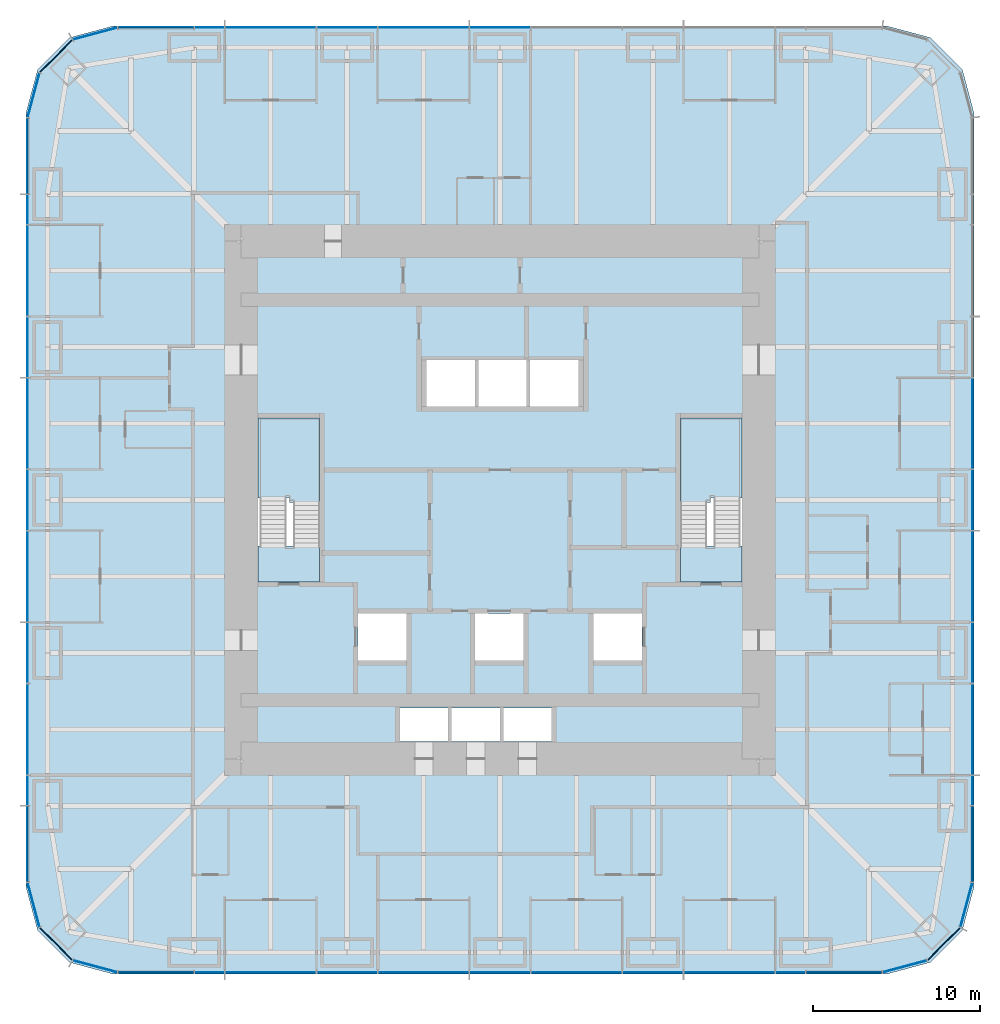
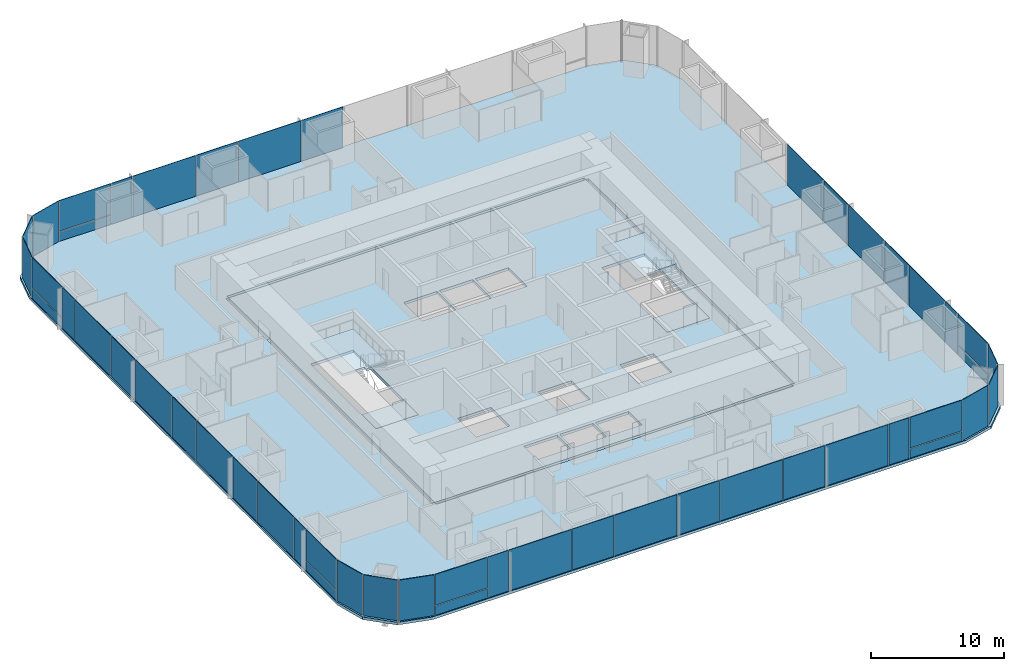
# One storey, part 6 of 11: 50 plates, 6 slabs, 9 elements without a shape of their own.
"""IFC4 building model written with IfcOpenShell, lengths in metres."""

from ifc_helpers import new_model, si_unit, direction, frame, origin, origin_2d, place, context, subcontext, project, spatial, polyline, rectangle, outline, extrude, material, layer, layer_set, type_object, element, aggregate, save


model = new_model("IFC4")

# Units and contexts
model_context = context("Model", 3, precision=1e-05, world=origin(), true_north=direction((0.0, 1.0)))
body_context = subcontext(model_context, "Body", "Model", "MODEL_VIEW")
ifc_project = project(units=[si_unit("LENGTHUNIT", "METRE"), si_unit("AREAUNIT", "SQUARE_METRE"), si_unit("VOLUMEUNIT", "CUBIC_METRE"), si_unit("PLANEANGLEUNIT", "RADIAN"), si_unit("MASSUNIT", "GRAM", prefix="KILO")], contexts=[model_context])

# Site, building, storey
site_placement = place(None, origin())
site = spatial("IfcSite", under=ifc_project, at=site_placement, CompositionType="ELEMENT")
building_placement = place(site_placement, origin())
building = spatial("IfcBuilding", under=site, at=building_placement, Name="Khuree Lantern Residences", CompositionType="ELEMENT")
storey_placement = place(building_placement, frame((0.0, 0.0, 171.0)))
storey = spatial("IfcBuildingStorey", under=building, at=storey_placement, Name="L43", CompositionType="ELEMENT", Elevation=171.0)

# Slab
ifc_material_1 = material(Name="Concrete C35/45", Category="concrete")
ifc_layer_1 = layer(ifc_material_1, 0.25)
ifc_layer_set_1 = layer_set([ifc_layer_1], Name="CFL250 CORE FLOOR SLAB 250")
slab_type_1 = type_object("IfcSlabType", Name="CFL250 CORE FLOOR SLAB 250", PredefinedType="FLOOR", material=ifc_layer_set_1)
slab_1_placement = place(storey_placement, frame((0.0, 0.0, -0.25)))
element("IfcSlab", 1, at=slab_1_placement, inside=storey, type_object=slab_type_1, Name="Core floor L43", PredefinedType="FLOOR", context=body_context, shape_type="SweptSolid", body=[
    extrude(outline(polyline([(-15.5, -15.5), (-15.5, 15.5), (15.5, 15.5), (15.5, -15.5), (-15.5, -15.5)]), holes=[polyline([(10.800048828125, 4.89990234375), (10.800048828125, -4.89990234375), (14.5, -4.89990234375), (14.5, 4.89990234375), (10.800048828125, 4.89990234375)]), polyline([(8.5, -6.800048828125), (5.60009765625, -6.800048828125), (5.60009765625, -9.60009765625), (8.5, -9.60009765625), (8.5, -6.800048828125)]), polyline([(4.699951171875, 8.39990234375), (1.800048828125, 8.39990234375), (1.800048828125, 5.60009765625), (4.699951171875, 5.60009765625), (4.699951171875, 8.39990234375)]), polyline([(3.10009765625, -12.449951171875), (0.199951171875, -12.449951171875), (0.199951171875, -14.449951171875), (3.10009765625, -14.449951171875), (3.10009765625, -12.449951171875)]), polyline([(1.60009765625, 8.39990234375), (-1.300048828125, 8.39990234375), (-1.300048828125, 5.60009765625), (1.60009765625, 5.60009765625), (1.60009765625, 8.39990234375)]), polyline([(1.39990234375, -6.800048828125), (-1.5, -6.800048828125), (-1.5, -9.60009765625), (1.39990234375, -9.60009765625), (1.39990234375, -6.800048828125)]), polyline([(-2.89990234375, -12.449951171875), (-2.89990234375, -14.449951171875), (0.0, -14.449951171875), (0.0, -12.449951171875), (-2.89990234375, -12.449951171875)]), polyline([(-4.39990234375, 8.39990234375), (-4.39990234375, 5.60009765625), (-1.5, 5.60009765625), (-1.5, 8.39990234375), (-4.39990234375, 8.39990234375)]), polyline([(-6.0, -12.449951171875), (-6.0, -14.449951171875), (-3.10009765625, -14.449951171875), (-3.10009765625, -12.449951171875), (-6.0, -12.449951171875)]), polyline([(-8.5, -6.800048828125), (-8.5, -9.60009765625), (-5.60009765625, -9.60009765625), (-5.60009765625, -6.800048828125), (-8.5, -6.800048828125)]), polyline([(-10.800048828125, 4.89990234375), (-14.5, 4.89990234375), (-14.5, -4.89990234375), (-10.800048828125, -4.89990234375), (-10.800048828125, 4.89990234375)])]), origin(), (0.0, 0.0, 1.0), 0.25),
])

# Curtain wall, plates
ifc_material_2 = material(Name="Bronze anodised aluminium", Category="aluminium")
curtain_wall_type_1 = type_object("IfcCurtainWallType", Name="CW-T2 TOWER CORNER CURTAIN WALL", PredefinedType="USERDEFINED", material=ifc_material_2)
curtain_wall_1_placement = place(storey_placement, origin())
curtain_wall_1 = element("IfcCurtainWall", 2, at=curtain_wall_1_placement, inside=storey, type_object=curtain_wall_type_1, Name="L43 SOUTH-EAST CORNER CURTAIN WALL", ObjectType="Faceted corner curtain wall", PredefinedType="USERDEFINED")
ifc_material_3 = material(Name="Bronze tinted triple glazing", Category="glass")
ifc_layer_2 = layer(ifc_material_3, 0.048095703125)
ifc_layer_set_2 = layer_set([ifc_layer_2], Name="FACET PANEL P4")
plate_type_1 = type_object("IfcPlateType", Name="FACET PANEL P4", PredefinedType="CURTAIN_PANEL", material=ifc_layer_set_2)
plate_1_placement = place(storey_placement, frame((24.248046875, -27.938720703125, 0.0), z_axis=(0.0, 0.0, 1.0), x_axis=(0.965925810153, 0.258819105321, 0.0)))
plate_1 = element("IfcPlate", 3, at=plate_1_placement, type_object=plate_type_1, Name="L43 SOUTH-EAST CORNER PANEL 1.1", PredefinedType="CURTAIN_PANEL", context=body_context, shape_type="SweptSolid", body=[
    extrude(rectangle(XDim=2.71923828125, YDim=0.048095703125, at=origin_2d()), origin(), (0.0, 0.0, 1.0), 3.75),
])
plate_2_placement = place(storey_placement, frame((26.58837890625, -26.58837890625, 0.0), z_axis=(0.0, 0.0, 1.0), x_axis=(0.707106781187, 0.707106781187, 0.0)))
plate_2 = element("IfcPlate", 4, at=plate_2_placement, type_object=plate_type_1, Name="L43 SOUTH-EAST CORNER PANEL 2.1", PredefinedType="CURTAIN_PANEL", context=body_context, shape_type="SweptSolid", body=[
    extrude(rectangle(XDim=2.715087890625, YDim=0.048095703125, at=origin_2d()), origin(), (0.0, 0.0, 1.0), 3.75),
])
plate_3_placement = place(storey_placement, frame((27.938720703125, -24.248046875, 0.0), z_axis=(0.0, 0.0, 1.0), x_axis=(0.258819105321, 0.965925810153, 0.0)))
plate_3 = element("IfcPlate", 5, at=plate_3_placement, type_object=plate_type_1, Name="L43 SOUTH-EAST CORNER PANEL 3.1", PredefinedType="CURTAIN_PANEL", context=body_context, shape_type="SweptSolid", body=[
    extrude(rectangle(XDim=2.71923828125, YDim=0.048095703125, at=origin_2d()), origin(), (0.0, 0.0, 1.0), 3.75),
])
aggregate(curtain_wall_1, [plate_1, plate_2, plate_3])

curtain_wall_2_placement = place(storey_placement, origin())
curtain_wall_2 = element("IfcCurtainWall", 6, at=curtain_wall_2_placement, inside=storey, type_object=curtain_wall_type_1, Name="L43 NORTH-WEST CORNER CURTAIN WALL", ObjectType="Faceted corner curtain wall", PredefinedType="USERDEFINED")
plate_4_placement = place(storey_placement, frame((-24.248046875, 27.938720703125, 0.0), z_axis=(0.0, 0.0, 1.0), x_axis=(-0.965925810153, -0.258819105321, 0.0)))
plate_4 = element("IfcPlate", 7, at=plate_4_placement, type_object=plate_type_1, Name="L43 NORTH-WEST CORNER PANEL 29.1", PredefinedType="CURTAIN_PANEL", context=body_context, shape_type="SweptSolid", body=[
    extrude(rectangle(XDim=2.71923828125, YDim=0.048095703125, at=origin_2d()), origin(), (0.0, 0.0, 1.0), 3.75),
])
plate_5_placement = place(storey_placement, frame((-26.58837890625, 26.58837890625, 0.0), z_axis=(0.0, 0.0, 1.0), x_axis=(-0.707106781187, -0.707106781187, 0.0)))
plate_5 = element("IfcPlate", 8, at=plate_5_placement, type_object=plate_type_1, Name="L43 NORTH-WEST CORNER PANEL 30.1", PredefinedType="CURTAIN_PANEL", context=body_context, shape_type="SweptSolid", body=[
    extrude(rectangle(XDim=2.715087890625, YDim=0.048095703125, at=origin_2d()), origin(), (0.0, 0.0, 1.0), 3.75),
])
plate_6_placement = place(storey_placement, frame((-27.938720703125, 24.248046875, 0.0), z_axis=(0.0, 0.0, 1.0), x_axis=(-0.258819105321, -0.965925810153, 0.0)))
plate_6 = element("IfcPlate", 9, at=plate_6_placement, type_object=plate_type_1, Name="L43 NORTH-WEST CORNER PANEL 31.1", PredefinedType="CURTAIN_PANEL", context=body_context, shape_type="SweptSolid", body=[
    extrude(rectangle(XDim=2.71923828125, YDim=0.048095703125, at=origin_2d()), origin(), (0.0, 0.0, 1.0), 3.75),
])
aggregate(curtain_wall_2, [plate_4, plate_5, plate_6])

curtain_wall_3_placement = place(storey_placement, origin())
curtain_wall_3 = element("IfcCurtainWall", 10, at=curtain_wall_3_placement, inside=storey, type_object=curtain_wall_type_1, Name="L43 SOUTH-WEST CORNER CURTAIN WALL", ObjectType="Faceted corner curtain wall", PredefinedType="USERDEFINED")
plate_7_placement = place(storey_placement, frame((-27.938720703125, -24.248046875, 0.0), z_axis=(0.0, 0.0, 1.0), x_axis=(0.258819105321, -0.965925810153, 0.0)))
plate_7 = element("IfcPlate", 11, at=plate_7_placement, type_object=plate_type_1, Name="L43 SOUTH-WEST CORNER PANEL 43.1", PredefinedType="CURTAIN_PANEL", context=body_context, shape_type="SweptSolid", body=[
    extrude(rectangle(XDim=2.71923828125, YDim=0.048095703125, at=origin_2d()), origin(), (0.0, 0.0, 1.0), 3.75),
])
plate_8_placement = place(storey_placement, frame((-26.58837890625, -26.58837890625, 0.0), z_axis=(0.0, 0.0, 1.0), x_axis=(0.707106781187, -0.707106781187, 0.0)))
plate_8 = element("IfcPlate", 12, at=plate_8_placement, type_object=plate_type_1, Name="L43 SOUTH-WEST CORNER PANEL 44.1", PredefinedType="CURTAIN_PANEL", context=body_context, shape_type="SweptSolid", body=[
    extrude(rectangle(XDim=2.715087890625, YDim=0.048095703125, at=origin_2d()), origin(), (0.0, 0.0, 1.0), 3.75),
])
plate_9_placement = place(storey_placement, frame((-24.248046875, -27.938720703125, 0.0), z_axis=(0.0, 0.0, 1.0), x_axis=(0.965925810153, -0.258819105321, 0.0)))
plate_9 = element("IfcPlate", 13, at=plate_9_placement, type_object=plate_type_1, Name="L43 SOUTH-WEST CORNER PANEL 45.1", PredefinedType="CURTAIN_PANEL", context=body_context, shape_type="SweptSolid", body=[
    extrude(rectangle(XDim=2.71923828125, YDim=0.048095703125, at=origin_2d()), origin(), (0.0, 0.0, 1.0), 3.75),
])
aggregate(curtain_wall_3, [plate_7, plate_8, plate_9])

curtain_wall_type_2 = type_object("IfcCurtainWallType", Name="CW-T1 TOWER FACE CURTAIN WALL", PredefinedType="USERDEFINED", material=ifc_material_2)
curtain_wall_4_placement = place(storey_placement, origin())
curtain_wall_4 = element("IfcCurtainWall", 14, at=curtain_wall_4_placement, inside=storey, type_object=curtain_wall_type_2, Name="L43 EAST FACE CURTAIN WALL", ObjectType="Stick-built curtain wall", PredefinedType="USERDEFINED")
ifc_material_4 = material(Name="Bronze tinted triple glazing with a ceramic-fritted spandrel band", Category="glass")
ifc_layer_3 = layer(ifc_material_4, 0.048095703125)
ifc_layer_set_3 = layer_set([ifc_layer_3], Name="FIXED LIGHT PANEL P11")
plate_type_2 = type_object("IfcPlateType", Name="FIXED LIGHT PANEL P11", PredefinedType="CURTAIN_PANEL", material=ifc_layer_set_3)
plate_10_placement = place(storey_placement, frame((28.300048828125, -13.739990234375, 0.0), z_axis=(0.0, 0.0, 1.0), x_axis=(0.0, 1.0, 0.0)))
plate_10 = element("IfcPlate", 15, at=plate_10_placement, type_object=plate_type_2, Name="L43 EAST FACE PANEL 6.1", PredefinedType="CURTAIN_PANEL", context=body_context, shape_type="SweptSolid", body=[
    extrude(rectangle(XDim=5.430908203125, YDim=0.048095703125, at=origin_2d()), origin(), (0.0, 0.0, 1.0), 3.75),
])
plate_11_placement = place(storey_placement, frame((28.300048828125, -4.580078125, 0.0), z_axis=(0.0, 0.0, 1.0), x_axis=(0.0, 1.0, 0.0)))
plate_11 = element("IfcPlate", 16, at=plate_11_placement, type_object=plate_type_2, Name="L43 EAST FACE PANEL 8.1", PredefinedType="CURTAIN_PANEL", context=body_context, shape_type="SweptSolid", body=[
    extrude(rectangle(XDim=5.430908203125, YDim=0.048095703125, at=origin_2d()), origin(), (0.0, 0.0, 1.0), 3.75),
])
plate_12_placement = place(storey_placement, frame((28.300048828125, 4.580078125, 0.0), z_axis=(0.0, 0.0, 1.0), x_axis=(0.0, 1.0, 0.0)))
plate_12 = element("IfcPlate", 17, at=plate_12_placement, type_object=plate_type_2, Name="L43 EAST FACE PANEL 10.1", PredefinedType="CURTAIN_PANEL", context=body_context, shape_type="SweptSolid", body=[
    extrude(rectangle(XDim=5.430908203125, YDim=0.048095703125, at=origin_2d()), origin(), (0.0, 0.0, 1.0), 3.75),
])

curtain_wall_5_placement = place(storey_placement, origin())
curtain_wall_5 = element("IfcCurtainWall", 18, at=curtain_wall_5_placement, inside=storey, type_object=curtain_wall_type_2, Name="L43 NORTH FACE CURTAIN WALL", ObjectType="Stick-built curtain wall", PredefinedType="USERDEFINED")
plate_13_placement = place(storey_placement, frame((-4.580078125, 28.300048828125, 0.0), z_axis=(0.0, 0.0, 1.0), x_axis=(-1.0, 0.0, 0.0)))
plate_13 = element("IfcPlate", 19, at=plate_13_placement, type_object=plate_type_2, Name="L43 NORTH FACE PANEL 24.1", PredefinedType="CURTAIN_PANEL", context=body_context, shape_type="SweptSolid", body=[
    extrude(rectangle(XDim=5.430908203125, YDim=0.048095703125, at=origin_2d()), origin(), (0.0, 0.0, 1.0), 3.75),
])
plate_14_placement = place(storey_placement, frame((-13.739990234375, 28.300048828125, 0.0), z_axis=(0.0, 0.0, 1.0), x_axis=(-1.0, 0.0, 0.0)))
plate_14 = element("IfcPlate", 20, at=plate_14_placement, type_object=plate_type_2, Name="L43 NORTH FACE PANEL 26.1", PredefinedType="CURTAIN_PANEL", context=body_context, shape_type="SweptSolid", body=[
    extrude(rectangle(XDim=5.430908203125, YDim=0.048095703125, at=origin_2d()), origin(), (0.0, 0.0, 1.0), 3.75),
])

curtain_wall_6_placement = place(storey_placement, origin())
curtain_wall_6 = element("IfcCurtainWall", 21, at=curtain_wall_6_placement, inside=storey, type_object=curtain_wall_type_2, Name="L43 WEST FACE CURTAIN WALL", ObjectType="Stick-built curtain wall", PredefinedType="USERDEFINED")
plate_15_placement = place(storey_placement, frame((-28.300048828125, 13.739990234375, 0.0), z_axis=(0.0, 0.0, 1.0), x_axis=(0.0, -1.0, 0.0)))
plate_15 = element("IfcPlate", 22, at=plate_15_placement, type_object=plate_type_2, Name="L43 WEST FACE PANEL 34.1", PredefinedType="CURTAIN_PANEL", context=body_context, shape_type="SweptSolid", body=[
    extrude(rectangle(XDim=5.430908203125, YDim=0.048095703125, at=origin_2d()), origin(), (0.0, 0.0, 1.0), 3.75),
])
plate_16_placement = place(storey_placement, frame((-28.300048828125, 4.580078125, 0.0), z_axis=(0.0, 0.0, 1.0), x_axis=(0.0, -1.0, 0.0)))
plate_16 = element("IfcPlate", 23, at=plate_16_placement, type_object=plate_type_2, Name="L43 WEST FACE PANEL 36.1", PredefinedType="CURTAIN_PANEL", context=body_context, shape_type="SweptSolid", body=[
    extrude(rectangle(XDim=5.430908203125, YDim=0.048095703125, at=origin_2d()), origin(), (0.0, 0.0, 1.0), 3.75),
])
plate_17_placement = place(storey_placement, frame((-28.300048828125, -4.580078125, 0.0), z_axis=(0.0, 0.0, 1.0), x_axis=(0.0, -1.0, 0.0)))
plate_17 = element("IfcPlate", 24, at=plate_17_placement, type_object=plate_type_2, Name="L43 WEST FACE PANEL 38.1", PredefinedType="CURTAIN_PANEL", context=body_context, shape_type="SweptSolid", body=[
    extrude(rectangle(XDim=5.430908203125, YDim=0.048095703125, at=origin_2d()), origin(), (0.0, 0.0, 1.0), 3.75),
])
plate_18_placement = place(storey_placement, frame((-28.300048828125, -13.739990234375, 0.0), z_axis=(0.0, 0.0, 1.0), x_axis=(0.0, -1.0, 0.0)))
plate_18 = element("IfcPlate", 25, at=plate_18_placement, type_object=plate_type_2, Name="L43 WEST FACE PANEL 40.1", PredefinedType="CURTAIN_PANEL", context=body_context, shape_type="SweptSolid", body=[
    extrude(rectangle(XDim=5.430908203125, YDim=0.048095703125, at=origin_2d()), origin(), (0.0, 0.0, 1.0), 3.75),
])

curtain_wall_7_placement = place(storey_placement, origin())
curtain_wall_7 = element("IfcCurtainWall", 26, at=curtain_wall_7_placement, inside=storey, type_object=curtain_wall_type_2, Name="L43 SOUTH FACE CURTAIN WALL", ObjectType="Stick-built curtain wall", PredefinedType="USERDEFINED")
plate_19_placement = place(storey_placement, frame((-13.739990234375, -28.300048828125, 0.0), z_axis=(0.0, 0.0, 1.0), x_axis=(1.0, 0.0, 0.0)))
plate_19 = element("IfcPlate", 27, at=plate_19_placement, type_object=plate_type_2, Name="L43 SOUTH FACE PANEL 48.1", PredefinedType="CURTAIN_PANEL", context=body_context, shape_type="SweptSolid", body=[
    extrude(rectangle(XDim=5.430908203125, YDim=0.048095703125, at=origin_2d()), origin(), (0.0, 0.0, 1.0), 3.75),
])
plate_20_placement = place(storey_placement, frame((-4.580078125, -28.300048828125, 0.0), z_axis=(0.0, 0.0, 1.0), x_axis=(1.0, 0.0, 0.0)))
plate_20 = element("IfcPlate", 28, at=plate_20_placement, type_object=plate_type_2, Name="L43 SOUTH FACE PANEL 50.1", PredefinedType="CURTAIN_PANEL", context=body_context, shape_type="SweptSolid", body=[
    extrude(rectangle(XDim=5.430908203125, YDim=0.048095703125, at=origin_2d()), origin(), (0.0, 0.0, 1.0), 3.75),
])
plate_21_placement = place(storey_placement, frame((4.580078125, -28.300048828125, 0.0), z_axis=(0.0, 0.0, 1.0), x_axis=(1.0, 0.0, 0.0)))
plate_21 = element("IfcPlate", 29, at=plate_21_placement, type_object=plate_type_2, Name="L43 SOUTH FACE PANEL 52.1", PredefinedType="CURTAIN_PANEL", context=body_context, shape_type="SweptSolid", body=[
    extrude(rectangle(XDim=5.430908203125, YDim=0.048095703125, at=origin_2d()), origin(), (0.0, 0.0, 1.0), 3.75),
])
plate_22_placement = place(storey_placement, frame((13.739990234375, -28.300048828125, 0.0), z_axis=(0.0, 0.0, 1.0), x_axis=(1.0, 0.0, 0.0)))
plate_22 = element("IfcPlate", 30, at=plate_22_placement, type_object=plate_type_2, Name="L43 SOUTH FACE PANEL 54.1", PredefinedType="CURTAIN_PANEL", context=body_context, shape_type="SweptSolid", body=[
    extrude(rectangle(XDim=5.430908203125, YDim=0.048095703125, at=origin_2d()), origin(), (0.0, 0.0, 1.0), 3.75),
])

# Slab
ifc_layer_4 = layer(ifc_material_1, 0.25)
ifc_layer_set_4 = layer_set([ifc_layer_4], Name="FS250 FLOOR SLAB 250")
slab_type_2 = type_object("IfcSlabType", Name="FS250 FLOOR SLAB 250", PredefinedType="FLOOR", material=ifc_layer_set_4)
slab_2_placement = place(storey_placement, frame((0.0, 0.0, -0.25)))
element("IfcSlab", 31, at=slab_2_placement, inside=storey, type_object=slab_type_2, Name="Floor slab L43", PredefinedType="FLOOR", context=body_context, shape_type="SweptSolid", body=[
    extrude(outline(polyline([(-25.77490234375, -27.696533203125), (-27.696533203125, -25.77490234375), (-28.39990234375, -23.14990234375), (-28.39990234375, 23.14990234375), (-27.696533203125, 25.77490234375), (-25.77490234375, 27.696533203125), (-23.14990234375, 28.39990234375), (23.14990234375, 28.39990234375), (25.77490234375, 27.696533203125), (27.696533203125, 25.77490234375), (28.39990234375, 23.14990234375), (28.39990234375, -23.14990234375), (27.696533203125, -25.77490234375), (25.77490234375, -27.696533203125), (23.14990234375, -28.39990234375), (-23.14990234375, -28.39990234375), (-25.77490234375, -27.696533203125)]), holes=[polyline([(15.75, 15.5), (15.5, 15.5), (15.5, 15.75), (-15.5, 15.75), (-15.5, 15.5), (-15.75, 15.5), (-15.75, -15.5), (-15.5, -15.5), (-15.5, -15.75), (15.5, -15.75), (15.5, -15.5), (15.75, -15.5), (15.75, 15.5)])]), origin(), (0.0, 0.0, 1.0), 0.25),
])

# Plate
ifc_material_5 = material(Name="Bronze tinted triple glazing, two aluminium-framed sashes in one frame", Category="aluminium")
ifc_layer_5 = layer(ifc_material_5, 0.048095703125)
ifc_layer_set_5 = layer_set([ifc_layer_5], Name="SASH PAIR PANEL P12")
plate_type_3 = type_object("IfcPlateType", Name="SASH PAIR PANEL P12", PredefinedType="CURTAIN_PANEL", material=ifc_layer_set_5)
plate_23_placement = place(storey_placement, frame((28.300048828125, -9.159912109375, 0.0), z_axis=(0.0, 0.0, 1.0), x_axis=(0.0, 1.0, 0.0)))
plate_23 = element("IfcPlate", 32, at=plate_23_placement, type_object=plate_type_3, Name="L43 EAST FACE PANEL 7.1", PredefinedType="CURTAIN_PANEL", context=body_context, shape_type="SweptSolid", body=[
    extrude(rectangle(XDim=3.59912109375, YDim=0.048095703125, at=origin_2d()), origin(), (0.0, 0.0, 1.0), 3.75),
])

plate_24_placement = place(storey_placement, frame((28.300048828125, 0.0, 0.0), z_axis=(0.0, 0.0, 1.0), x_axis=(0.0, 1.0, 0.0)))
plate_24 = element("IfcPlate", 33, at=plate_24_placement, type_object=plate_type_3, Name="L43 EAST FACE PANEL 9.1", PredefinedType="CURTAIN_PANEL", context=body_context, shape_type="SweptSolid", body=[
    extrude(rectangle(XDim=3.59912109375, YDim=0.048095703125, at=origin_2d()), origin(), (0.0, 0.0, 1.0), 3.75),
])

plate_25_placement = place(storey_placement, frame((0.0, 28.300048828125, 0.0), z_axis=(0.0, 0.0, 1.0), x_axis=(-1.0, 0.0, 0.0)))
plate_25 = element("IfcPlate", 34, at=plate_25_placement, type_object=plate_type_3, Name="L43 NORTH FACE PANEL 23.1", PredefinedType="CURTAIN_PANEL", context=body_context, shape_type="SweptSolid", body=[
    extrude(rectangle(XDim=3.59912109375, YDim=0.048095703125, at=origin_2d()), origin(), (0.0, 0.0, 1.0), 3.75),
])

plate_26_placement = place(storey_placement, frame((-9.159912109375, 28.300048828125, 0.0), z_axis=(0.0, 0.0, 1.0), x_axis=(-1.0, 0.0, 0.0)))
plate_26 = element("IfcPlate", 35, at=plate_26_placement, type_object=plate_type_3, Name="L43 NORTH FACE PANEL 25.1", PredefinedType="CURTAIN_PANEL", context=body_context, shape_type="SweptSolid", body=[
    extrude(rectangle(XDim=3.59912109375, YDim=0.048095703125, at=origin_2d()), origin(), (0.0, 0.0, 1.0), 3.75),
])

plate_27_placement = place(storey_placement, frame((-28.300048828125, 9.159912109375, 0.0), z_axis=(0.0, 0.0, 1.0), x_axis=(0.0, -1.0, 0.0)))
plate_27 = element("IfcPlate", 36, at=plate_27_placement, type_object=plate_type_3, Name="L43 WEST FACE PANEL 35.1", PredefinedType="CURTAIN_PANEL", context=body_context, shape_type="SweptSolid", body=[
    extrude(rectangle(XDim=3.59912109375, YDim=0.048095703125, at=origin_2d()), origin(), (0.0, 0.0, 1.0), 3.75),
])

plate_28_placement = place(storey_placement, frame((-28.300048828125, 0.0, 0.0), z_axis=(0.0, 0.0, 1.0), x_axis=(0.0, -1.0, 0.0)))
plate_28 = element("IfcPlate", 37, at=plate_28_placement, type_object=plate_type_3, Name="L43 WEST FACE PANEL 37.1", PredefinedType="CURTAIN_PANEL", context=body_context, shape_type="SweptSolid", body=[
    extrude(rectangle(XDim=3.59912109375, YDim=0.048095703125, at=origin_2d()), origin(), (0.0, 0.0, 1.0), 3.75),
])

plate_29_placement = place(storey_placement, frame((-28.300048828125, -9.159912109375, 0.0), z_axis=(0.0, 0.0, 1.0), x_axis=(0.0, -1.0, 0.0)))
plate_29 = element("IfcPlate", 38, at=plate_29_placement, type_object=plate_type_3, Name="L43 WEST FACE PANEL 39.1", PredefinedType="CURTAIN_PANEL", context=body_context, shape_type="SweptSolid", body=[
    extrude(rectangle(XDim=3.59912109375, YDim=0.048095703125, at=origin_2d()), origin(), (0.0, 0.0, 1.0), 3.75),
])

plate_30_placement = place(storey_placement, frame((-9.159912109375, -28.300048828125, 0.0), z_axis=(0.0, 0.0, 1.0), x_axis=(1.0, 0.0, 0.0)))
plate_30 = element("IfcPlate", 39, at=plate_30_placement, type_object=plate_type_3, Name="L43 SOUTH FACE PANEL 49.1", PredefinedType="CURTAIN_PANEL", context=body_context, shape_type="SweptSolid", body=[
    extrude(rectangle(XDim=3.59912109375, YDim=0.048095703125, at=origin_2d()), origin(), (0.0, 0.0, 1.0), 3.75),
])

plate_31_placement = place(storey_placement, frame((0.0, -28.300048828125, 0.0), z_axis=(0.0, 0.0, 1.0), x_axis=(1.0, 0.0, 0.0)))
plate_31 = element("IfcPlate", 40, at=plate_31_placement, type_object=plate_type_3, Name="L43 SOUTH FACE PANEL 51.1", PredefinedType="CURTAIN_PANEL", context=body_context, shape_type="SweptSolid", body=[
    extrude(rectangle(XDim=3.59912109375, YDim=0.048095703125, at=origin_2d()), origin(), (0.0, 0.0, 1.0), 3.75),
])

plate_32_placement = place(storey_placement, frame((9.159912109375, -28.300048828125, 0.0), z_axis=(0.0, 0.0, 1.0), x_axis=(1.0, 0.0, 0.0)))
plate_32 = element("IfcPlate", 41, at=plate_32_placement, type_object=plate_type_3, Name="L43 SOUTH FACE PANEL 53.1", PredefinedType="CURTAIN_PANEL", context=body_context, shape_type="SweptSolid", body=[
    extrude(rectangle(XDim=3.59912109375, YDim=0.048095703125, at=origin_2d()), origin(), (0.0, 0.0, 1.0), 3.75),
])

ifc_material_6 = material(Name="Bronze tinted triple glazing, aluminium-framed sash", Category="aluminium")
ifc_layer_6 = layer(ifc_material_6, 0.048095703125)
ifc_layer_set_6 = layer_set([ifc_layer_6], Name="SASH PANEL P3")
plate_type_4 = type_object("IfcPlateType", Name="SASH PANEL P3", PredefinedType="CURTAIN_PANEL", material=ifc_layer_set_6)
plate_33_placement = place(storey_placement, frame((28.300048828125, -17.404052734375, 0.0), z_axis=(0.0, 0.0, 1.0), x_axis=(0.0, 1.0, 0.0)))
plate_33 = element("IfcPlate", 42, at=plate_33_placement, type_object=plate_type_4, Name="L43 EAST FACE PANEL 5.1", PredefinedType="CURTAIN_PANEL", context=body_context, shape_type="SweptSolid", body=[
    extrude(rectangle(XDim=1.76708984375, YDim=0.048095703125, at=origin_2d()), origin(), (0.0, 0.0, 1.0), 3.75),
])

plate_34_placement = place(storey_placement, frame((-17.404052734375, 28.300048828125, 0.0), z_axis=(0.0, 0.0, 1.0), x_axis=(-1.0, 0.0, 0.0)))
plate_34 = element("IfcPlate", 43, at=plate_34_placement, type_object=plate_type_4, Name="L43 NORTH FACE PANEL 27.1", PredefinedType="CURTAIN_PANEL", context=body_context, shape_type="SweptSolid", body=[
    extrude(rectangle(XDim=1.76708984375, YDim=0.048095703125, at=origin_2d()), origin(), (0.0, 0.0, 1.0), 3.75),
])

plate_35_placement = place(storey_placement, frame((-28.300048828125, 17.404052734375, 0.0), z_axis=(0.0, 0.0, 1.0), x_axis=(0.0, -1.0, 0.0)))
plate_35 = element("IfcPlate", 44, at=plate_35_placement, type_object=plate_type_4, Name="L43 WEST FACE PANEL 33.1", PredefinedType="CURTAIN_PANEL", context=body_context, shape_type="SweptSolid", body=[
    extrude(rectangle(XDim=1.76708984375, YDim=0.048095703125, at=origin_2d()), origin(), (0.0, 0.0, 1.0), 3.75),
])

plate_36_placement = place(storey_placement, frame((-28.300048828125, -17.404052734375, 0.0), z_axis=(0.0, 0.0, 1.0), x_axis=(0.0, -1.0, 0.0)))
plate_36 = element("IfcPlate", 45, at=plate_36_placement, type_object=plate_type_4, Name="L43 WEST FACE PANEL 41.1", PredefinedType="CURTAIN_PANEL", context=body_context, shape_type="SweptSolid", body=[
    extrude(rectangle(XDim=1.76708984375, YDim=0.048095703125, at=origin_2d()), origin(), (0.0, 0.0, 1.0), 3.75),
])

plate_37_placement = place(storey_placement, frame((-17.404052734375, -28.300048828125, 0.0), z_axis=(0.0, 0.0, 1.0), x_axis=(1.0, 0.0, 0.0)))
plate_37 = element("IfcPlate", 46, at=plate_37_placement, type_object=plate_type_4, Name="L43 SOUTH FACE PANEL 47.1", PredefinedType="CURTAIN_PANEL", context=body_context, shape_type="SweptSolid", body=[
    extrude(rectangle(XDim=1.76708984375, YDim=0.048095703125, at=origin_2d()), origin(), (0.0, 0.0, 1.0), 3.75),
])

plate_38_placement = place(storey_placement, frame((17.404052734375, -28.300048828125, 0.0), z_axis=(0.0, 0.0, 1.0), x_axis=(1.0, 0.0, 0.0)))
plate_38 = element("IfcPlate", 47, at=plate_38_placement, type_object=plate_type_4, Name="L43 SOUTH FACE PANEL 55.1", PredefinedType="CURTAIN_PANEL", context=body_context, shape_type="SweptSolid", body=[
    extrude(rectangle(XDim=1.76708984375, YDim=0.048095703125, at=origin_2d()), origin(), (0.0, 0.0, 1.0), 3.75),
])

ifc_material_7 = material(Name="Bronze anodised aluminium insulated spandrel", Category="aluminium")
ifc_layer_7 = layer(ifc_material_7, 0.06005859375)
ifc_layer_set_7 = layer_set([ifc_layer_7], Name="SPANDREL PANEL P2")
plate_type_5 = type_object("IfcPlateType", Name="SPANDREL PANEL P2", PredefinedType="CURTAIN_PANEL", material=ifc_layer_set_7)
plate_39_placement = place(storey_placement, frame((28.300048828125, -20.60791015625, 0.0), z_axis=(0.0, 0.0, 1.0), x_axis=(0.0, 1.0, 0.0)))
plate_39 = element("IfcPlate", 48, at=plate_39_placement, type_object=plate_type_5, Name="L43 EAST FACE PANEL 4.1", PredefinedType="CURTAIN_PANEL", context=body_context, shape_type="SweptSolid", body=[
    extrude(rectangle(XDim=4.5107421875, YDim=0.06005859375, at=origin_2d()), origin(), (0.0, 0.0, 1.0), 0.867431640625),
])

plate_40_placement = place(storey_placement, frame((-20.60791015625, 28.300048828125, 0.0), z_axis=(0.0, 0.0, 1.0), x_axis=(-1.0, 0.0, 0.0)))
plate_40 = element("IfcPlate", 49, at=plate_40_placement, type_object=plate_type_5, Name="L43 NORTH FACE PANEL 28.1", PredefinedType="CURTAIN_PANEL", context=body_context, shape_type="SweptSolid", body=[
    extrude(rectangle(XDim=4.5107421875, YDim=0.06005859375, at=origin_2d()), origin(), (0.0, 0.0, 1.0), 0.867431640625),
])

plate_41_placement = place(storey_placement, frame((-28.300048828125, 20.60791015625, 0.0), z_axis=(0.0, 0.0, 1.0), x_axis=(0.0, -1.0, 0.0)))
plate_41 = element("IfcPlate", 50, at=plate_41_placement, type_object=plate_type_5, Name="L43 WEST FACE PANEL 32.1", PredefinedType="CURTAIN_PANEL", context=body_context, shape_type="SweptSolid", body=[
    extrude(rectangle(XDim=4.5107421875, YDim=0.06005859375, at=origin_2d()), origin(), (0.0, 0.0, 1.0), 0.867431640625),
])

plate_42_placement = place(storey_placement, frame((-28.300048828125, -20.60791015625, 0.0), z_axis=(0.0, 0.0, 1.0), x_axis=(0.0, -1.0, 0.0)))
plate_42 = element("IfcPlate", 51, at=plate_42_placement, type_object=plate_type_5, Name="L43 WEST FACE PANEL 42.1", PredefinedType="CURTAIN_PANEL", context=body_context, shape_type="SweptSolid", body=[
    extrude(rectangle(XDim=4.5107421875, YDim=0.06005859375, at=origin_2d()), origin(), (0.0, 0.0, 1.0), 0.867431640625),
])

plate_43_placement = place(storey_placement, frame((-20.60791015625, -28.300048828125, 0.0), z_axis=(0.0, 0.0, 1.0), x_axis=(1.0, 0.0, 0.0)))
plate_43 = element("IfcPlate", 52, at=plate_43_placement, type_object=plate_type_5, Name="L43 SOUTH FACE PANEL 46.1", PredefinedType="CURTAIN_PANEL", context=body_context, shape_type="SweptSolid", body=[
    extrude(rectangle(XDim=4.5107421875, YDim=0.06005859375, at=origin_2d()), origin(), (0.0, 0.0, 1.0), 0.867431640625),
])

plate_44_placement = place(storey_placement, frame((20.60791015625, -28.300048828125, 0.0), z_axis=(0.0, 0.0, 1.0), x_axis=(1.0, 0.0, 0.0)))
plate_44 = element("IfcPlate", 53, at=plate_44_placement, type_object=plate_type_5, Name="L43 SOUTH FACE PANEL 56.1", PredefinedType="CURTAIN_PANEL", context=body_context, shape_type="SweptSolid", body=[
    extrude(rectangle(XDim=4.5107421875, YDim=0.06005859375, at=origin_2d()), origin(), (0.0, 0.0, 1.0), 0.867431640625),
])

# Stair, slabs
ifc_material_8 = material(Name="Concrete C40/50", Category="concrete")
stair_type = type_object("IfcStairType", Name="STAIR ST1 HALF TURN 3600", PredefinedType="HALF_TURN_STAIR", material=ifc_material_8)
stair_1_placement = place(storey_placement, origin())
stair_1 = element("IfcStair", 54, at=stair_1_placement, inside=storey, type_object=stair_type, Name="Stair ST1", PredefinedType="HALF_TURN_STAIR")
ifc_layer_8 = layer(ifc_material_8, 0.199951171875)
ifc_layer_set_8 = layer_set([ifc_layer_8], Name="STAIR LANDING SL1 200")
slab_type_3 = type_object("IfcSlabType", Name="STAIR LANDING SL1 200", PredefinedType="LANDING", material=ifc_layer_set_8)
slab_3_placement = place(storey_placement, frame((0.0, 0.0, -0.199951171875)))
slab_3 = element("IfcSlab", 55, at=slab_3_placement, type_object=slab_type_3, Name="ST1 landing 1", PredefinedType="LANDING", context=body_context, shape_type="SweptSolid", body=[
    extrude(outline(polyline([(-14.5, -4.89990234375), (-10.800048828125, -4.89990234375), (-10.800048828125, -2.760009765625), (-14.5, -2.760009765625), (-14.5, -4.89990234375)])), origin(), (0.0, 0.0, 1.0), 0.199951171875),
])
slab_4_placement = place(storey_placement, frame((0.0, 0.0, 1.756591796875)))
slab_4 = element("IfcSlab", 56, at=slab_4_placement, type_object=slab_type_3, Name="ST1 landing 2", PredefinedType="LANDING", context=body_context, shape_type="SweptSolid", body=[
    extrude(outline(polyline([(-14.5, 0.1201171875), (-14.5, 4.89990234375), (-10.800048828125, 4.89990234375), (-10.800048828125, -0.159912109375), (-12.60009765625, -0.159912109375), (-12.60009765625, 0.1201171875), (-14.5, 0.1201171875)])), origin(), (0.0, 0.0, 1.0), 0.199951171875),
])
aggregate(stair_1, [slab_3, slab_4])

stair_2_placement = place(storey_placement, origin())
stair_2 = element("IfcStair", 57, at=stair_2_placement, inside=storey, type_object=stair_type, Name="Stair ST2", PredefinedType="HALF_TURN_STAIR")
slab_5_placement = place(storey_placement, frame((0.0, 0.0, -0.199951171875)))
slab_5 = element("IfcSlab", 58, at=slab_5_placement, type_object=slab_type_3, Name="ST2 landing 1", PredefinedType="LANDING", context=body_context, shape_type="SweptSolid", body=[
    extrude(outline(polyline([(10.800048828125, -4.89990234375), (14.5, -4.89990234375), (14.5, -2.760009765625), (10.800048828125, -2.760009765625), (10.800048828125, -4.89990234375)])), origin(), (0.0, 0.0, 1.0), 0.199951171875),
])
slab_6_placement = place(storey_placement, frame((0.0, 0.0, 1.756591796875)))
slab_6 = element("IfcSlab", 59, at=slab_6_placement, type_object=slab_type_3, Name="ST2 landing 2", PredefinedType="LANDING", context=body_context, shape_type="SweptSolid", body=[
    extrude(outline(polyline([(14.5, 4.89990234375), (14.5, 0.1201171875), (12.60009765625, 0.1201171875), (12.60009765625, -0.159912109375), (10.800048828125, -0.159912109375), (10.800048828125, 4.89990234375), (14.5, 4.89990234375)])), origin(), (0.0, 0.0, 1.0), 0.199951171875),
])
aggregate(stair_2, [slab_5, slab_6])

# Plate
ifc_layer_9 = layer(ifc_material_3, 0.048095703125)
ifc_layer_set_9 = layer_set([ifc_layer_9], Name="VISION PANEL P1")
plate_type_6 = type_object("IfcPlateType", Name="VISION PANEL P1", PredefinedType="CURTAIN_PANEL", material=ifc_layer_set_9)
plate_45_placement = place(storey_placement, frame((28.300048828125, -20.6083984375, 0.9326171875), z_axis=(0.0, 0.0, 1.0), x_axis=(0.0, 1.0, 0.0)))
plate_45 = element("IfcPlate", 60, at=plate_45_placement, type_object=plate_type_6, Name="L43 EAST FACE PANEL 4.2", PredefinedType="CURTAIN_PANEL", context=body_context, shape_type="SweptSolid", body=[
    extrude(rectangle(XDim=4.511474609375, YDim=0.048095703125, at=origin_2d()), origin(), (0.0, 0.0, 1.0), 2.8173828125),
])

aggregate(curtain_wall_4, [plate_39, plate_45, plate_33, plate_10, plate_23, plate_11, plate_24, plate_12])

plate_46_placement = place(storey_placement, frame((-20.6083984375, 28.300048828125, 0.9326171875), z_axis=(0.0, 0.0, 1.0), x_axis=(-1.0, 0.0, 0.0)))
plate_46 = element("IfcPlate", 61, at=plate_46_placement, type_object=plate_type_6, Name="L43 NORTH FACE PANEL 28.2", PredefinedType="CURTAIN_PANEL", context=body_context, shape_type="SweptSolid", body=[
    extrude(rectangle(XDim=4.511474609375, YDim=0.048095703125, at=origin_2d()), origin(), (0.0, 0.0, 1.0), 2.8173828125),
])

aggregate(curtain_wall_5, [plate_25, plate_13, plate_26, plate_14, plate_34, plate_40, plate_46])

plate_47_placement = place(storey_placement, frame((-28.300048828125, 20.6083984375, 0.9326171875), z_axis=(0.0, 0.0, 1.0), x_axis=(0.0, -1.0, 0.0)))
plate_47 = element("IfcPlate", 62, at=plate_47_placement, type_object=plate_type_6, Name="L43 WEST FACE PANEL 32.2", PredefinedType="CURTAIN_PANEL", context=body_context, shape_type="SweptSolid", body=[
    extrude(rectangle(XDim=4.511474609375, YDim=0.048095703125, at=origin_2d()), origin(), (0.0, 0.0, 1.0), 2.8173828125),
])

plate_48_placement = place(storey_placement, frame((-28.300048828125, -20.6083984375, 0.9326171875), z_axis=(0.0, 0.0, 1.0), x_axis=(0.0, -1.0, 0.0)))
plate_48 = element("IfcPlate", 63, at=plate_48_placement, type_object=plate_type_6, Name="L43 WEST FACE PANEL 42.2", PredefinedType="CURTAIN_PANEL", context=body_context, shape_type="SweptSolid", body=[
    extrude(rectangle(XDim=4.511474609375, YDim=0.048095703125, at=origin_2d()), origin(), (0.0, 0.0, 1.0), 2.8173828125),
])

aggregate(curtain_wall_6, [plate_41, plate_47, plate_35, plate_15, plate_27, plate_16, plate_28, plate_17, plate_29, plate_18, plate_36, plate_42, plate_48])

plate_49_placement = place(storey_placement, frame((-20.6083984375, -28.300048828125, 0.9326171875), z_axis=(0.0, 0.0, 1.0), x_axis=(1.0, 0.0, 0.0)))
plate_49 = element("IfcPlate", 64, at=plate_49_placement, type_object=plate_type_6, Name="L43 SOUTH FACE PANEL 46.2", PredefinedType="CURTAIN_PANEL", context=body_context, shape_type="SweptSolid", body=[
    extrude(rectangle(XDim=4.511474609375, YDim=0.048095703125, at=origin_2d()), origin(), (0.0, 0.0, 1.0), 2.8173828125),
])

plate_50_placement = place(storey_placement, frame((20.6083984375, -28.300048828125, 0.9326171875), z_axis=(0.0, 0.0, 1.0), x_axis=(1.0, 0.0, 0.0)))
plate_50 = element("IfcPlate", 65, at=plate_50_placement, type_object=plate_type_6, Name="L43 SOUTH FACE PANEL 56.2", PredefinedType="CURTAIN_PANEL", context=body_context, shape_type="SweptSolid", body=[
    extrude(rectangle(XDim=4.511474609375, YDim=0.048095703125, at=origin_2d()), origin(), (0.0, 0.0, 1.0), 2.8173828125),
])

aggregate(curtain_wall_7, [plate_43, plate_49, plate_37, plate_19, plate_30, plate_20, plate_31, plate_21, plate_32, plate_22, plate_38, plate_44, plate_50])

save(model, "model.ifc")
